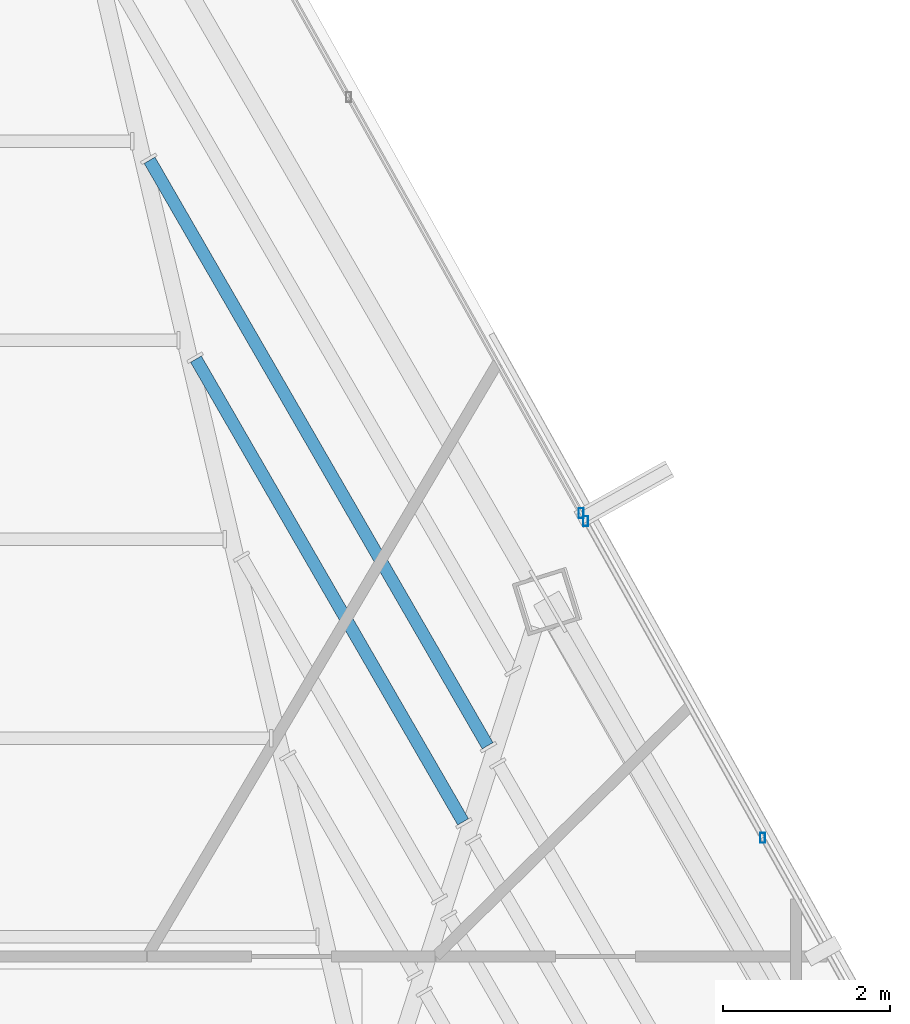
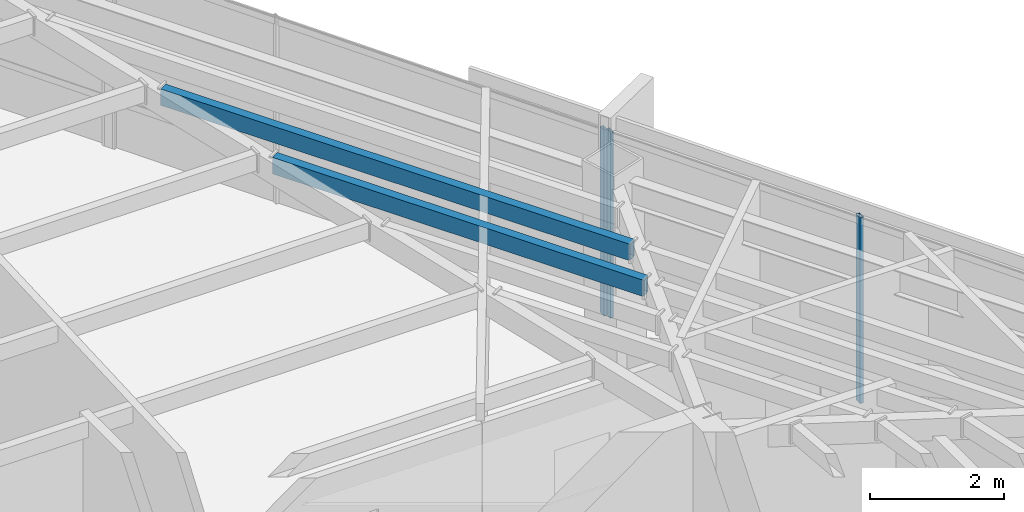
# One storey, part 30 of 45: 3 members, 2 beams, 2 elements without a shape of their own.
"""IFC4 building model written with IfcOpenShell, lengths in metres."""

import ifcopenshell
import ifcopenshell.guid

model = None  # the IFC model being written
_history = None  # IfcOwnerHistory: only IFC2X3 demands one
_inside = {}  # id of a spatial element -> (the spatial element, [elements in it])
_under = {}  # id of a project, library or spatial element -> (it, [spatial elements below it])
_declared = {}  # id of a project -> (the project, [libraries it declares])
_typed = {}  # id of a type object -> (the type object, [elements of that type])
_made_of = {}  # id of a material, layer set ... -> (it, [elements and type objects made of it])


def new_model(schema):
    """Start an empty IFC model of exactly this schema.

    Asked for "IFC4X3", IfcOpenShell would pick the latest addendum, in which some entities
    have other attributes; the version numbers below select the first issue.
    IFC2X3 requires an IfcOwnerHistory on every rooted entity: one is made here for all.
    """
    global model, _history
    if schema == "IFC4X3":
        model = ifcopenshell.file(schema_version=(4, 3, 0, 0))
    else:
        model = ifcopenshell.file(schema=schema)
    _inside.clear()
    _under.clear()
    _declared.clear()
    _typed.clear()
    _made_of.clear()
    _history = None
    if model.schema == "IFC2X3":
        org = make("IfcOrganization", Name="unknown")
        user = make(
            "IfcPersonAndOrganization",
            ThePerson=make("IfcPerson", FamilyName="unknown"),
            TheOrganization=org,
        )
        app = make(
            "IfcApplication",
            ApplicationDeveloper=org,
            Version="unknown",
            ApplicationFullName="unknown",
            ApplicationIdentifier="unknown",
        )
        _history = make(
            "IfcOwnerHistory",
            OwningUser=user,
            OwningApplication=app,
            ChangeAction="ADDED",
            CreationDate=0,
        )
    return model


def make(cls, **values):
    """One entity of the class cls with the attributes given. An attribute that is None is left unset."""
    return model.create_entity(
        cls, **{name: value for name, value in values.items() if value is not None}
    )


def rooted(cls, **values):
    """An entity with a GlobalId (a new one), such as an element, a storey or a relation."""
    return make(cls, GlobalId=ifcopenshell.guid.new(), OwnerHistory=_history, **values)


def si_unit(unit_type, name, prefix=None):
    """IfcSIUnit, for example si_unit("LENGTHUNIT", "METRE", prefix="MILLI")."""
    return make("IfcSIUnit", UnitType=unit_type, Prefix=prefix, Name=name)


def assignment(units):
    """IfcUnitAssignment: the units of a project."""
    return None if units is None else make("IfcUnitAssignment", Units=units)


def point(xyz):
    """IfcCartesianPoint."""
    return None if xyz is None else make("IfcCartesianPoint", Coordinates=xyz)


def direction(xyz):
    """IfcDirection."""
    return None if xyz is None else make("IfcDirection", DirectionRatios=xyz)


def frame(location, z_axis=None, x_axis=None):
    """IfcAxis2Placement3D, a coordinate frame: its origin and axes. An axis left out is left unset."""
    return make(
        "IfcAxis2Placement3D",
        Location=point(location),
        Axis=direction(z_axis),
        RefDirection=direction(x_axis),
    )


def frame_2d(location, x_axis=None):
    """IfcAxis2Placement2D, a coordinate frame in the plane: its origin and x axis."""
    return make(
        "IfcAxis2Placement2D", Location=point(location), RefDirection=direction(x_axis)
    )


def origin():
    """The frame at (0, 0, 0) with its axes left unset."""
    return frame((0.0, 0.0, 0.0))


def origin_2d():
    """The frame at (0, 0) in the plane with its x axis left unset."""
    return frame_2d((0.0, 0.0))


def place(relative_to, where):
    """IfcLocalPlacement: puts the frame where relative to a parent placement (None: the world)."""
    return make(
        "IfcLocalPlacement", PlacementRelTo=relative_to, RelativePlacement=where
    )


def context(
    kind, dimensions, precision=None, world=None, true_north=None, identifier=None
):
    """IfcGeometricRepresentationContext, for example the 3D "Model" context."""
    return make(
        "IfcGeometricRepresentationContext",
        ContextIdentifier=identifier,
        ContextType=kind,
        CoordinateSpaceDimension=dimensions,
        Precision=precision,
        WorldCoordinateSystem=world,
        TrueNorth=true_north,
    )


def subcontext(parent, identifier, kind, view, scale=None):
    """IfcGeometricRepresentationSubContext, for example "Body" below "Model"."""
    return make(
        "IfcGeometricRepresentationSubContext",
        ContextIdentifier=identifier,
        ContextType=kind,
        ParentContext=parent,
        TargetScale=scale,
        TargetView=view,
    )


def project(units=None, contexts=None):
    """IfcProject with its units and contexts."""
    return rooted(
        "IfcProject",
        Name="project",
        RepresentationContexts=contexts,
        UnitsInContext=assignment(units),
    )


def spatial(cls, under=None, at=None, **own):
    """A site, building, storey or space (cls), placed at a placement, below another one or the project."""
    s = rooted(cls, ObjectPlacement=at, **own)
    if under is not None:
        _under.setdefault(under.id(), (under, []))[1].append(s)
    return s


def profile(cls, at=None, kind="AREA", **sizes):
    """A parametric profile (cls). Its sizes go by their IFC names, for example OverallWidth=200.0."""
    return make(cls, ProfileType=kind, Position=at, **sizes)


def hollow_rectangle(**sizes):
    """IfcRectangleHollowProfileDef."""
    return profile("IfcRectangleHollowProfileDef", **sizes)


def extrude(swept, where, along, depth):
    """IfcExtrudedAreaSolid: the profile swept, set in the frame where, extruded along a direction by depth."""
    return make(
        "IfcExtrudedAreaSolid",
        SweptArea=swept,
        Position=where,
        ExtrudedDirection=direction(along),
        Depth=depth,
    )


def shape(context_of_items, identifier, shape_type, items):
    """IfcShapeRepresentation: the items that make up one representation, for example the "Body"."""
    return make(
        "IfcShapeRepresentation",
        ContextOfItems=context_of_items,
        RepresentationIdentifier=identifier,
        RepresentationType=shape_type,
        Items=items,
    )


def source(mapping_origin, context_of_items, identifier, shape_type, items):
    """IfcRepresentationMap: a shape defined once, which mapped items show again and again."""
    return make(
        "IfcRepresentationMap",
        MappingOrigin=mapping_origin,
        MappedRepresentation=shape(context_of_items, identifier, shape_type, items),
    )


def transform(
    local_origin,
    x_axis=None,
    y_axis=None,
    z_axis=None,
    scale=None,
    scale2=None,
    scale3=None,
    uniform=True,
):
    """IfcCartesianTransformationOperator3D, or its non-uniform kind. x_axis, y_axis, z_axis: its Axis1, 2, 3."""
    if uniform:
        return make(
            "IfcCartesianTransformationOperator3D",
            Axis1=direction(x_axis),
            Axis2=direction(y_axis),
            LocalOrigin=point(local_origin),
            Scale=scale,
            Axis3=direction(z_axis),
        )
    return make(
        "IfcCartesianTransformationOperator3DnonUniform",
        Axis1=direction(x_axis),
        Axis2=direction(y_axis),
        LocalOrigin=point(local_origin),
        Scale=scale,
        Axis3=direction(z_axis),
        Scale2=scale2,
        Scale3=scale3,
    )


def mapped(mapping_source, mapping_target):
    """IfcMappedItem: shows the shape of a source again, moved by a transform."""
    return make(
        "IfcMappedItem", MappingSource=mapping_source, MappingTarget=mapping_target
    )


def material(Name=None, Category=None):
    """IfcMaterial."""
    return make("IfcMaterial", Name=Name, Category=Category)


def material_profile(
    of_material, cross_section, Name=None, Category=None, Priority=None
):
    """IfcMaterialProfile: a cross section and its material."""
    return make(
        "IfcMaterialProfile",
        Name=Name,
        Material=of_material,
        Profile=cross_section,
        Priority=Priority,
        Category=Category,
    )


def profile_set(profiles, Name=None, composite=None):
    """IfcMaterialProfileSet."""
    return make(
        "IfcMaterialProfileSet",
        Name=Name,
        MaterialProfiles=profiles,
        CompositeProfile=composite,
    )


def made_of(thing, what):
    """Note that an element or type object is made of a material, layer set ...; save() writes the relation."""
    if what is not None:
        _made_of.setdefault(what.id(), (what, []))[1].append(thing)
    return thing


def type_object(cls, material=None, **own):
    """A type object (cls), such as IfcWallType, which elements share."""
    return made_of(rooted(cls, **own), material)


def type_shapes(of_type, sources):
    """Give a type object the sources (RepresentationMaps) that its elements show as mapped items."""
    of_type.RepresentationMaps = sources


def element(
    cls,
    number,
    at=None,
    inside=None,
    cuts=None,
    type_object=None,
    material=None,
    context=None,
    identifier="Body",
    shape_type=None,
    held_by="IfcProductDefinitionShape",
    body=None,
    shapes=None,
    **own,
):
    """One element of the class cls, such as IfcWall. Its Tag is "e" and its number.

    at: its placement. inside: the storey or other place that contains it. cuts: it is an
    opening in that element (IfcRelVoidsElement). A single representation is given by context,
    identifier, shape_type and body (its items); several are given by shapes. held_by: the class
    of the entity that holds the representations. save() writes the other relations.
    """
    e = rooted(cls, Tag="e%d" % number, ObjectPlacement=at, **own)
    if body is not None:
        shapes = [shape(context, identifier, shape_type, body)]
    if shapes is not None:
        e.Representation = make(held_by, Representations=shapes)
    if inside is not None:
        _inside.setdefault(inside.id(), (inside, []))[1].append(e)
    if cuts is not None:
        rooted(
            "IfcRelVoidsElement", RelatingBuildingElement=cuts, RelatedOpeningElement=e
        )
    if type_object is not None:
        _typed.setdefault(type_object.id(), (type_object, []))[1].append(e)
    return made_of(e, material)


def aggregate(whole, parts):
    """IfcRelAggregates: a whole, such as a stair, and the parts it consists of."""
    return rooted("IfcRelAggregates", RelatingObject=whole, RelatedObjects=parts)


def save(model, path):
    """Write the relations noted so far, then the file.

    IfcRelAggregates (storeys below a building ...), IfcRelContainedInSpatialStructure (elements
    in a storey), IfcRelDefinesByType, IfcRelAssociatesMaterial and IfcRelDeclares: one each for
    every whole, place, type object, material and project.
    """
    for whole, parts in _under.values():
        aggregate(whole, parts)
    for where, things in _inside.values():
        rooted(
            "IfcRelContainedInSpatialStructure",
            RelatedElements=things,
            RelatingStructure=where,
        )
    for kind, things in _typed.values():
        rooted("IfcRelDefinesByType", RelatedObjects=things, RelatingType=kind)
    for what, things in _made_of.values():
        rooted("IfcRelAssociatesMaterial", RelatedObjects=things, RelatingMaterial=what)
    for by, libraries in _declared.values():
        rooted("IfcRelDeclares", RelatingContext=by, RelatedDefinitions=libraries)
    model.write(path)


model = new_model("IFC4")

# Units and contexts
model_context = context("Model", 3, precision=1e-05, world=origin(), true_north=direction((0.0, 1.0)))
body_context = subcontext(model_context, "Body", "Model", "MODEL_VIEW")
ifc_project = project(units=[si_unit("LENGTHUNIT", "METRE"), si_unit("AREAUNIT", "SQUARE_METRE"), si_unit("VOLUMEUNIT", "CUBIC_METRE"), si_unit("PLANEANGLEUNIT", "RADIAN"), si_unit("MASSUNIT", "GRAM", prefix="KILO")], contexts=[model_context])

# Site, building, storey
site_placement = place(None, origin())
site = spatial("IfcSite", under=ifc_project, at=site_placement, CompositionType="ELEMENT")
building_placement = place(site_placement, origin())
building = spatial("IfcBuilding", under=site, at=building_placement, Name="Caelisora Broadcast Tower", CompositionType="ELEMENT")
storey_placement = place(building_placement, frame((0.0, 0.0, 262.699951171875)))
storey = spatial("IfcBuildingStorey", under=building, at=storey_placement, Name="L69", CompositionType="ELEMENT", Elevation=262.699951171875)

# Beams
ifc_material_1 = material(Name="Steel Grade 350 (AS/NZS 1163 C350L0)", Category="steel")
ifc_material_profile_1 = material_profile(ifc_material_1, hollow_rectangle(XDim=0.14990234375, YDim=0.300048828125, WallThickness=0.010009765625, at=origin_2d()), Name="Steel Grade 350 (AS/NZS 1163 C350L0)")
ifc_profile_set_1 = profile_set([ifc_material_profile_1], Name="Steel Grade 350 (AS/NZS 1163 C350L0)")
beam_type = type_object("IfcBeamType", Name="SB05", PredefinedType="JOIST", material=ifc_profile_set_1)
shared_shape_1 = source(origin(), body_context, "Body", "SweptSolid", [
    extrude(hollow_rectangle(XDim=0.14990234375, YDim=0.300048828125, WallThickness=0.010009765625, at=origin_2d()), origin(), (0.0, 0.0, 1.0), 6.406982421875),
])
beam_1_placement = place(storey_placement, frame((46.60986328125, 33.764404296875, 3.25), z_axis=(-0.500016016435, 0.866016156494, 0.0), x_axis=(-0.866016156494, -0.500016016435, 0.0)))
element("IfcBeam", 1, at=beam_1_placement, inside=storey, type_object=beam_type, Name="L69 beam SB05", PredefinedType="JOIST", context=body_context, shape_type="MappedRepresentation", body=[
    mapped(shared_shape_1, transform((0.0, 0.0, 0.0), scale=1.0)),
])
shared_shape_2 = source(origin(), body_context, "Body", "SweptSolid", [
    extrude(hollow_rectangle(XDim=0.14990234375, YDim=0.300048828125, WallThickness=0.010009765625, at=origin_2d()), origin(), (0.0, 0.0, 1.0), 8.10693359375),
])
type_shapes(beam_type, [shared_shape_1, shared_shape_2])
beam_2_placement = place(storey_placement, frame((46.90380859375, 34.677001953125, 3.25), z_axis=(-0.5000031239, 0.866023600192, 0.0), x_axis=(-0.866023600192, -0.5000031239, 0.0)))
element("IfcBeam", 2, at=beam_2_placement, inside=storey, type_object=beam_type, Name="L69 beam SB05", PredefinedType="JOIST", context=body_context, shape_type="MappedRepresentation", body=[
    mapped(shared_shape_2, transform((0.0, 0.0, 0.0), scale=1.0)),
])

# Curtain wall, member
ifc_material_2 = material(Name="Unitised Aluminium and Low-E Glass Curtain Wall", Category="glass")
curtain_wall_type_1 = type_object("IfcCurtainWallType", Name="CW-Z5", PredefinedType="NOTDEFINED", material=ifc_material_2)
curtain_wall_1_placement = place(storey_placement, origin())
curtain_wall_1 = element("IfcCurtainWall", 3, at=curtain_wall_1_placement, inside=storey, type_object=curtain_wall_type_1, Name="L69 curtain wall CW-Z5", PredefinedType="NOTDEFINED")
ifc_material_3 = material(Name="Aluminium 6063-T6 Anodised Terracotta Bronze", Category="aluminium")
ifc_material_profile_2 = material_profile(ifc_material_3, hollow_rectangle(XDim=0.06005859375, YDim=0.1201171875, WallThickness=0.0029296875, at=origin_2d()), Name="Aluminium 6063-T6 Anodised Terracotta Bronze")
ifc_profile_set_2 = profile_set([ifc_material_profile_2], Name="Aluminium 6063-T6 Anodised Terracotta Bronze")
member_type = type_object("IfcMemberType", Name="CWM-04", PredefinedType="MULLION", material=ifc_profile_set_2)
shared_shape_3 = source(origin(), body_context, "Body", "SweptSolid", [
    extrude(hollow_rectangle(XDim=0.06005859375, YDim=0.1201171875, WallThickness=0.0029296875, at=origin_2d()), origin(), (0.0, 0.0, 1.0), 3.400146484375),
])
type_shapes(member_type, [shared_shape_3])
member_1_placement = place(storey_placement, frame((48.024169921875, 37.467041015625, 0.0), z_axis=(0.0, 0.0, 1.0), x_axis=(1.0, 0.0, 0.0)))
member_1 = element("IfcMember", 4, at=member_1_placement, type_object=member_type, Name="L69-CW-B01 mullion #3", PredefinedType="MULLION", context=body_context, shape_type="MappedRepresentation", body=[
    mapped(shared_shape_3, transform((0.0, 0.0, 0.0), scale=1.0)),
])
aggregate(curtain_wall_1, [member_1])

# Curtain wall, members
ifc_material_4 = material(Name="Unitised Aluminium Insulated Shadow-Box Spandrel Curtain Wall", Category="aluminium")
curtain_wall_type_2 = type_object("IfcCurtainWallType", Name="CW-SP3", PredefinedType="NOTDEFINED", material=ifc_material_4)
curtain_wall_2_placement = place(storey_placement, origin())
curtain_wall_2 = element("IfcCurtainWall", 5, at=curtain_wall_2_placement, inside=storey, type_object=curtain_wall_type_2, Name="L69 curtain wall CW-SP3", PredefinedType="NOTDEFINED")
member_2_placement = place(storey_placement, frame((48.077880859375, 37.37109375, 0.0), z_axis=(0.0, 0.0, 1.0), x_axis=(1.0, 0.0, 0.0)))
member_2 = element("IfcMember", 6, at=member_2_placement, type_object=member_type, Name="L69-CW-B02 mullion #0", PredefinedType="MULLION", context=body_context, shape_type="MappedRepresentation", body=[
    mapped(shared_shape_3, transform((0.0, 0.0, 0.0), scale=1.0)),
])
member_3_placement = place(storey_placement, frame((50.20068359375, 33.572509765625, 0.0), z_axis=(0.0, 0.0, 1.0), x_axis=(1.0, 0.0, 0.0)))
member_3 = element("IfcMember", 7, at=member_3_placement, type_object=member_type, Name="L69-CW-B02 mullion #1", PredefinedType="MULLION", context=body_context, shape_type="MappedRepresentation", body=[
    mapped(shared_shape_3, transform((0.0, 0.0, 0.0), scale=1.0)),
])
aggregate(curtain_wall_2, [member_2, member_3])

save(model, "model.ifc")
